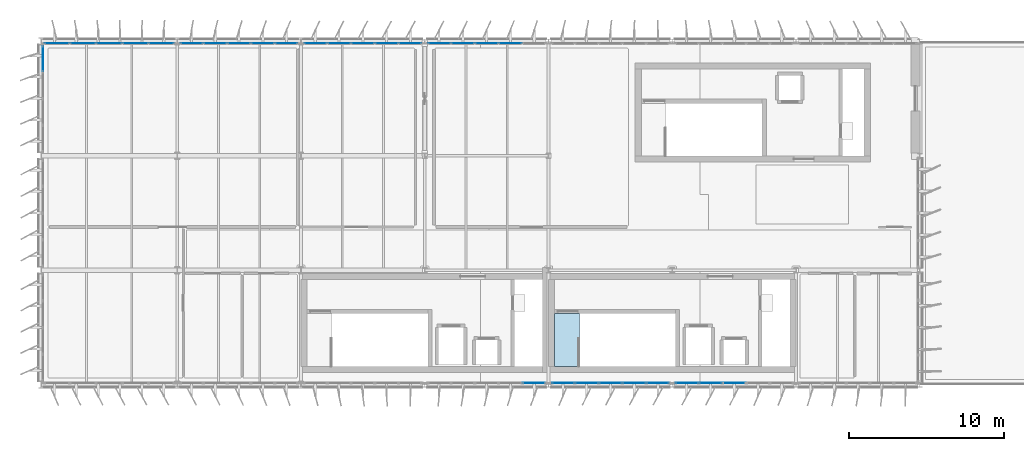
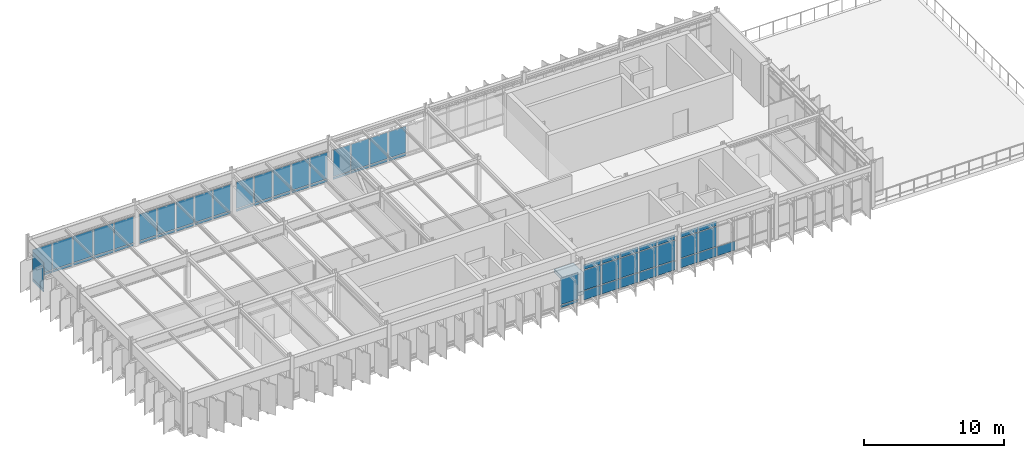
# One storey, part 12 of 20: 64 plates, 1 slab, 8 elements without a shape of their own.
"""IFC4 building model written with IfcOpenShell, lengths in metres."""

from ifc_helpers import new_model, si_unit, direction, frame, origin, origin_2d, place, context, subcontext, project, spatial, polyline, rectangle, outline, extrude, material, layer, layer_set, type_object, element, aggregate, save


model = new_model("IFC4")

# Units and contexts
model_context = context("Model", 3, precision=1e-05, world=origin(), true_north=direction((0.0, 1.0)))
body_context = subcontext(model_context, "Body", "Model", "MODEL_VIEW")
ifc_project = project(units=[si_unit("LENGTHUNIT", "METRE"), si_unit("AREAUNIT", "SQUARE_METRE"), si_unit("VOLUMEUNIT", "CUBIC_METRE"), si_unit("PLANEANGLEUNIT", "RADIAN"), si_unit("MASSUNIT", "GRAM", prefix="KILO")], contexts=[model_context])

# Site, building, storey
site_placement = place(None, origin())
site = spatial("IfcSite", under=ifc_project, at=site_placement, CompositionType="ELEMENT")
building_placement = place(site_placement, origin())
building = spatial("IfcBuilding", under=site, at=building_placement, Name="Valkorina Park Police Headquarters", CompositionType="ELEMENT")
storey_placement = place(building_placement, frame((0.0, 0.0, 31.10009765625)))
storey = spatial("IfcBuildingStorey", under=building, at=storey_placement, Name="L08", CompositionType="ELEMENT", Elevation=31.10009765625)

# Curtain wall, plates
ifc_material_1 = material(Name="Thermally broken aluminium AW-6060", Category="aluminium")
ifc_layer_1 = layer(ifc_material_1, 0.18994140625)
ifc_layer_set_1 = layer_set([ifc_layer_1], Name="Thermally broken aluminium AW-6060")
curtain_wall_type_1 = type_object("IfcCurtainWallType", Name="CW-V5-7680x3210", PredefinedType="NOTDEFINED", material=ifc_layer_set_1)
curtain_wall_1_placement = place(storey_placement, origin())
curtain_wall_1 = element("IfcCurtainWall", 1, at=curtain_wall_1_placement, inside=storey, type_object=curtain_wall_type_1, Name="L08 Unitised Curtain Wall 157", PredefinedType="NOTDEFINED")
ifc_layer_2 = layer(ifc_material_1, 0.050048828125)
ifc_layer_set_2 = layer_set([ifc_layer_2], Name="Thermally broken aluminium AW-6060")
plate_type_1 = type_object("IfcPlateType", Name="PL-CWP-SPANDREL-50", PredefinedType="CURTAIN_PANEL", material=ifc_layer_set_2)
plate_1_placement = place(storey_placement, frame((44.800048828125, 37.1201171875, 0.06982421875), z_axis=(0.0, 0.0, 1.0), x_axis=(-1.0, 0.0, 0.0)))
plate_1 = element("IfcPlate", 2, at=plate_1_placement, type_object=plate_type_1, Name="CW-V5-768-321 panel 3.1", PredefinedType="CURTAIN_PANEL", context=body_context, shape_type="SweptSolid", body=[
    extrude(rectangle(XDim=1.466064453125, YDim=0.028076171875, at=origin_2d()), origin(), (0.0, 0.0, 1.0), 0.794921875),
])
plate_2_placement = place(storey_placement, frame((43.263916015625, 37.1201171875, 0.06982421875), z_axis=(0.0, 0.0, 1.0), x_axis=(-1.0, 0.0, 0.0)))
plate_2 = element("IfcPlate", 3, at=plate_2_placement, type_object=plate_type_1, Name="CW-V5-768-321 panel 4.1", PredefinedType="CURTAIN_PANEL", context=body_context, shape_type="SweptSolid", body=[
    extrude(rectangle(XDim=1.466064453125, YDim=0.028076171875, at=origin_2d()), origin(), (0.0, 0.0, 1.0), 0.794921875),
])
plate_3_placement = place(storey_placement, frame((41.74560546875, 37.1201171875, 0.06982421875), z_axis=(0.0, 0.0, 1.0), x_axis=(-1.0, 0.0, 0.0)))
plate_3 = element("IfcPlate", 4, at=plate_3_placement, type_object=plate_type_1, Name="CW-V5-768-321 panel 5.1", PredefinedType="CURTAIN_PANEL", context=body_context, shape_type="SweptSolid", body=[
    extrude(rectangle(XDim=1.430908203125, YDim=0.028076171875, at=origin_2d()), origin(), (0.0, 0.0, 1.0), 0.794921875),
])

curtain_wall_2_placement = place(storey_placement, origin())
curtain_wall_2 = element("IfcCurtainWall", 5, at=curtain_wall_2_placement, inside=storey, type_object=curtain_wall_type_1, Name="L08 Unitised Curtain Wall 158", PredefinedType="NOTDEFINED")
plate_4_placement = place(storey_placement, frame((39.8544921875, 37.1201171875, 0.06982421875), z_axis=(0.0, 0.0, 1.0), x_axis=(-1.0, 0.0, 0.0)))
plate_4 = element("IfcPlate", 6, at=plate_4_placement, type_object=plate_type_1, Name="CW-V5-768-321 panel 1.1", PredefinedType="CURTAIN_PANEL", context=body_context, shape_type="SweptSolid", body=[
    extrude(rectangle(XDim=1.430908203125, YDim=0.028076171875, at=origin_2d()), origin(), (0.0, 0.0, 1.0), 0.794921875),
])
plate_5_placement = place(storey_placement, frame((38.3359375, 37.1201171875, 0.06982421875), z_axis=(0.0, 0.0, 1.0), x_axis=(-1.0, 0.0, 0.0)))
plate_5 = element("IfcPlate", 7, at=plate_5_placement, type_object=plate_type_1, Name="CW-V5-768-321 panel 2.1", PredefinedType="CURTAIN_PANEL", context=body_context, shape_type="SweptSolid", body=[
    extrude(rectangle(XDim=1.466064453125, YDim=0.028076171875, at=origin_2d()), origin(), (0.0, 0.0, 1.0), 0.794921875),
])
plate_6_placement = place(storey_placement, frame((36.800048828125, 37.1201171875, 0.06982421875), z_axis=(0.0, 0.0, 1.0), x_axis=(-1.0, 0.0, 0.0)))
plate_6 = element("IfcPlate", 8, at=plate_6_placement, type_object=plate_type_1, Name="CW-V5-768-321 panel 3.1", PredefinedType="CURTAIN_PANEL", context=body_context, shape_type="SweptSolid", body=[
    extrude(rectangle(XDim=1.466064453125, YDim=0.028076171875, at=origin_2d()), origin(), (0.0, 0.0, 1.0), 0.794921875),
])
plate_7_placement = place(storey_placement, frame((35.263916015625, 37.1201171875, 0.06982421875), z_axis=(0.0, 0.0, 1.0), x_axis=(-1.0, 0.0, 0.0)))
plate_7 = element("IfcPlate", 9, at=plate_7_placement, type_object=plate_type_1, Name="CW-V5-768-321 panel 4.1", PredefinedType="CURTAIN_PANEL", context=body_context, shape_type="SweptSolid", body=[
    extrude(rectangle(XDim=1.466064453125, YDim=0.028076171875, at=origin_2d()), origin(), (0.0, 0.0, 1.0), 0.794921875),
])
plate_8_placement = place(storey_placement, frame((33.74560546875, 37.1201171875, 0.06982421875), z_axis=(0.0, 0.0, 1.0), x_axis=(-1.0, 0.0, 0.0)))
plate_8 = element("IfcPlate", 10, at=plate_8_placement, type_object=plate_type_1, Name="CW-V5-768-321 panel 5.1", PredefinedType="CURTAIN_PANEL", context=body_context, shape_type="SweptSolid", body=[
    extrude(rectangle(XDim=1.430908203125, YDim=0.028076171875, at=origin_2d()), origin(), (0.0, 0.0, 1.0), 0.794921875),
])

# Curtain wall, plate
ifc_layer_3 = layer(ifc_material_1, 0.18994140625)
ifc_layer_set_3 = layer_set([ifc_layer_3], Name="Thermally broken aluminium AW-6060")
curtain_wall_type_2 = type_object("IfcCurtainWallType", Name="CW-V5-7680x2710", PredefinedType="NOTDEFINED", material=ifc_layer_set_3)
curtain_wall_3_placement = place(storey_placement, origin())
curtain_wall_3 = element("IfcCurtainWall", 11, at=curtain_wall_3_placement, inside=storey, type_object=curtain_wall_type_2, Name="L08 Unitised Curtain Wall 159", PredefinedType="NOTDEFINED")
plate_9_placement = place(storey_placement, frame((31.8544921875, 37.1201171875, 0.06982421875), z_axis=(0.0, 0.0, 1.0), x_axis=(-1.0, 0.0, 0.0)))
plate_9 = element("IfcPlate", 12, at=plate_9_placement, type_object=plate_type_1, Name="CW-V5-768-271 panel 1.1", PredefinedType="CURTAIN_PANEL", context=body_context, shape_type="SweptSolid", body=[
    extrude(rectangle(XDim=1.430908203125, YDim=0.028076171875, at=origin_2d()), origin(), (0.0, 0.0, 1.0), 0.195068359375),
])

ifc_layer_4 = layer(ifc_material_1, 0.18994140625)
ifc_layer_set_4 = layer_set([ifc_layer_4], Name="Thermally broken aluminium AW-6060")
curtain_wall_type_3 = type_object("IfcCurtainWallType", Name="CW-V5-6930x2710", PredefinedType="NOTDEFINED", material=ifc_layer_set_4)
curtain_wall_4_placement = place(storey_placement, origin())
curtain_wall_4 = element("IfcCurtainWall", 13, at=curtain_wall_4_placement, inside=storey, type_object=curtain_wall_type_3, Name="L08 Unitised Curtain Wall 165", PredefinedType="NOTDEFINED")
plate_10_placement = place(storey_placement, frame((0.1201171875, 58.081298828125, 0.06982421875), z_axis=(0.0, 0.0, 1.0), x_axis=(0.0, 1.0, 0.0)))
plate_10 = element("IfcPlate", 14, at=plate_10_placement, type_object=plate_type_1, Name="CW-V5-693-271 panel 4.1", PredefinedType="CURTAIN_PANEL", context=body_context, shape_type="SweptSolid", body=[
    extrude(rectangle(XDim=1.62744140625, YDim=0.028076171875, at=origin_2d()), origin(), (0.0, 0.0, 1.0), 0.195068359375),
])

# Curtain wall, plates
ifc_layer_5 = layer(ifc_material_1, 0.18994140625)
ifc_layer_set_5 = layer_set([ifc_layer_5], Name="Thermally broken aluminium AW-6060")
curtain_wall_type_4 = type_object("IfcCurtainWallType", Name="CW-V5-8480x2710", PredefinedType="NOTDEFINED", material=ifc_layer_set_5)
curtain_wall_5_placement = place(storey_placement, origin())
curtain_wall_5 = element("IfcCurtainWall", 15, at=curtain_wall_5_placement, inside=storey, type_object=curtain_wall_type_4, Name="L08 Unitised Curtain Wall 166", PredefinedType="NOTDEFINED")
plate_11_placement = place(storey_placement, frame((1.025390625, 59.080078125, 0.06982421875), z_axis=(0.0, 0.0, 1.0), x_axis=(1.0, 0.0, 0.0)))
plate_11 = element("IfcPlate", 16, at=plate_11_placement, type_object=plate_type_1, Name="CW-V5-848-271 panel 1.1", PredefinedType="CURTAIN_PANEL", context=body_context, shape_type="SweptSolid", body=[
    extrude(rectangle(XDim=1.591064453125, YDim=0.028076171875, at=origin_2d()), origin(), (0.0, 0.0, 1.0), 0.195068359375),
])
plate_12_placement = place(storey_placement, frame((2.7041015625, 59.080078125, 0.06982421875), z_axis=(0.0, 0.0, 1.0), x_axis=(1.0, 0.0, 0.0)))
plate_12 = element("IfcPlate", 17, at=plate_12_placement, type_object=plate_type_1, Name="CW-V5-848-271 panel 2.1", PredefinedType="CURTAIN_PANEL", context=body_context, shape_type="SweptSolid", body=[
    extrude(rectangle(XDim=1.6259765625, YDim=0.028076171875, at=origin_2d()), origin(), (0.0, 0.0, 1.0), 0.195068359375),
])
plate_13_placement = place(storey_placement, frame((4.39990234375, 59.080078125, 0.06982421875), z_axis=(0.0, 0.0, 1.0), x_axis=(1.0, 0.0, 0.0)))
plate_13 = element("IfcPlate", 18, at=plate_13_placement, type_object=plate_type_1, Name="CW-V5-848-271 panel 3.1", PredefinedType="CURTAIN_PANEL", context=body_context, shape_type="SweptSolid", body=[
    extrude(rectangle(XDim=1.6259765625, YDim=0.028076171875, at=origin_2d()), origin(), (0.0, 0.0, 1.0), 0.195068359375),
])
plate_14_placement = place(storey_placement, frame((6.095947265625, 59.080078125, 0.06982421875), z_axis=(0.0, 0.0, 1.0), x_axis=(1.0, 0.0, 0.0)))
plate_14 = element("IfcPlate", 19, at=plate_14_placement, type_object=plate_type_1, Name="CW-V5-848-271 panel 4.1", PredefinedType="CURTAIN_PANEL", context=body_context, shape_type="SweptSolid", body=[
    extrude(rectangle(XDim=1.6259765625, YDim=0.028076171875, at=origin_2d()), origin(), (0.0, 0.0, 1.0), 0.195068359375),
])
plate_15_placement = place(storey_placement, frame((7.7744140625, 59.080078125, 0.06982421875), z_axis=(0.0, 0.0, 1.0), x_axis=(1.0, 0.0, 0.0)))
plate_15 = element("IfcPlate", 20, at=plate_15_placement, type_object=plate_type_1, Name="CW-V5-848-271 panel 5.1", PredefinedType="CURTAIN_PANEL", context=body_context, shape_type="SweptSolid", body=[
    extrude(rectangle(XDim=1.591064453125, YDim=0.028076171875, at=origin_2d()), origin(), (0.0, 0.0, 1.0), 0.195068359375),
])

curtain_wall_6_placement = place(storey_placement, origin())
curtain_wall_6 = element("IfcCurtainWall", 21, at=curtain_wall_6_placement, inside=storey, type_object=curtain_wall_type_2, Name="L08 Unitised Curtain Wall 167", PredefinedType="NOTDEFINED")
plate_16_placement = place(storey_placement, frame((9.74560546875, 59.080078125, 0.06982421875), z_axis=(0.0, 0.0, 1.0), x_axis=(1.0, 0.0, 0.0)))
plate_16 = element("IfcPlate", 22, at=plate_16_placement, type_object=plate_type_1, Name="CW-V5-768-271 panel 1.1", PredefinedType="CURTAIN_PANEL", context=body_context, shape_type="SweptSolid", body=[
    extrude(rectangle(XDim=1.430908203125, YDim=0.028076171875, at=origin_2d()), origin(), (0.0, 0.0, 1.0), 0.195068359375),
])
plate_17_placement = place(storey_placement, frame((11.263916015625, 59.080078125, 0.06982421875), z_axis=(0.0, 0.0, 1.0), x_axis=(1.0, 0.0, 0.0)))
plate_17 = element("IfcPlate", 23, at=plate_17_placement, type_object=plate_type_1, Name="CW-V5-768-271 panel 2.1", PredefinedType="CURTAIN_PANEL", context=body_context, shape_type="SweptSolid", body=[
    extrude(rectangle(XDim=1.466064453125, YDim=0.028076171875, at=origin_2d()), origin(), (0.0, 0.0, 1.0), 0.195068359375),
])
plate_18_placement = place(storey_placement, frame((12.800048828125, 59.080078125, 0.06982421875), z_axis=(0.0, 0.0, 1.0), x_axis=(1.0, 0.0, 0.0)))
plate_18 = element("IfcPlate", 24, at=plate_18_placement, type_object=plate_type_1, Name="CW-V5-768-271 panel 3.1", PredefinedType="CURTAIN_PANEL", context=body_context, shape_type="SweptSolid", body=[
    extrude(rectangle(XDim=1.466064453125, YDim=0.028076171875, at=origin_2d()), origin(), (0.0, 0.0, 1.0), 0.195068359375),
])
plate_19_placement = place(storey_placement, frame((14.3359375, 59.080078125, 0.06982421875), z_axis=(0.0, 0.0, 1.0), x_axis=(1.0, 0.0, 0.0)))
plate_19 = element("IfcPlate", 25, at=plate_19_placement, type_object=plate_type_1, Name="CW-V5-768-271 panel 4.1", PredefinedType="CURTAIN_PANEL", context=body_context, shape_type="SweptSolid", body=[
    extrude(rectangle(XDim=1.466064453125, YDim=0.028076171875, at=origin_2d()), origin(), (0.0, 0.0, 1.0), 0.195068359375),
])
plate_20_placement = place(storey_placement, frame((15.8544921875, 59.080078125, 0.06982421875), z_axis=(0.0, 0.0, 1.0), x_axis=(1.0, 0.0, 0.0)))
plate_20 = element("IfcPlate", 26, at=plate_20_placement, type_object=plate_type_1, Name="CW-V5-768-271 panel 5.1", PredefinedType="CURTAIN_PANEL", context=body_context, shape_type="SweptSolid", body=[
    extrude(rectangle(XDim=1.430908203125, YDim=0.028076171875, at=origin_2d()), origin(), (0.0, 0.0, 1.0), 0.195068359375),
])

curtain_wall_7_placement = place(storey_placement, origin())
curtain_wall_7 = element("IfcCurtainWall", 27, at=curtain_wall_7_placement, inside=storey, type_object=curtain_wall_type_2, Name="L08 Unitised Curtain Wall 168", PredefinedType="NOTDEFINED")
plate_21_placement = place(storey_placement, frame((17.74560546875, 59.080078125, 0.06982421875), z_axis=(0.0, 0.0, 1.0), x_axis=(1.0, 0.0, 0.0)))
plate_21 = element("IfcPlate", 28, at=plate_21_placement, type_object=plate_type_1, Name="CW-V5-768-271 panel 1.1", PredefinedType="CURTAIN_PANEL", context=body_context, shape_type="SweptSolid", body=[
    extrude(rectangle(XDim=1.430908203125, YDim=0.028076171875, at=origin_2d()), origin(), (0.0, 0.0, 1.0), 0.195068359375),
])
plate_22_placement = place(storey_placement, frame((19.263916015625, 59.080078125, 0.06982421875), z_axis=(0.0, 0.0, 1.0), x_axis=(1.0, 0.0, 0.0)))
plate_22 = element("IfcPlate", 29, at=plate_22_placement, type_object=plate_type_1, Name="CW-V5-768-271 panel 2.1", PredefinedType="CURTAIN_PANEL", context=body_context, shape_type="SweptSolid", body=[
    extrude(rectangle(XDim=1.466064453125, YDim=0.028076171875, at=origin_2d()), origin(), (0.0, 0.0, 1.0), 0.195068359375),
])
plate_23_placement = place(storey_placement, frame((20.800048828125, 59.080078125, 0.06982421875), z_axis=(0.0, 0.0, 1.0), x_axis=(1.0, 0.0, 0.0)))
plate_23 = element("IfcPlate", 30, at=plate_23_placement, type_object=plate_type_1, Name="CW-V5-768-271 panel 3.1", PredefinedType="CURTAIN_PANEL", context=body_context, shape_type="SweptSolid", body=[
    extrude(rectangle(XDim=1.466064453125, YDim=0.028076171875, at=origin_2d()), origin(), (0.0, 0.0, 1.0), 0.195068359375),
])
plate_24_placement = place(storey_placement, frame((22.3359375, 59.080078125, 0.06982421875), z_axis=(0.0, 0.0, 1.0), x_axis=(1.0, 0.0, 0.0)))
plate_24 = element("IfcPlate", 31, at=plate_24_placement, type_object=plate_type_1, Name="CW-V5-768-271 panel 4.1", PredefinedType="CURTAIN_PANEL", context=body_context, shape_type="SweptSolid", body=[
    extrude(rectangle(XDim=1.466064453125, YDim=0.028076171875, at=origin_2d()), origin(), (0.0, 0.0, 1.0), 0.195068359375),
])
plate_25_placement = place(storey_placement, frame((23.8544921875, 59.080078125, 0.06982421875), z_axis=(0.0, 0.0, 1.0), x_axis=(1.0, 0.0, 0.0)))
plate_25 = element("IfcPlate", 32, at=plate_25_placement, type_object=plate_type_1, Name="CW-V5-768-271 panel 5.1", PredefinedType="CURTAIN_PANEL", context=body_context, shape_type="SweptSolid", body=[
    extrude(rectangle(XDim=1.430908203125, YDim=0.028076171875, at=origin_2d()), origin(), (0.0, 0.0, 1.0), 0.195068359375),
])

curtain_wall_8_placement = place(storey_placement, origin())
curtain_wall_8 = element("IfcCurtainWall", 33, at=curtain_wall_8_placement, inside=storey, type_object=curtain_wall_type_2, Name="L08 Unitised Curtain Wall 169", PredefinedType="NOTDEFINED")
plate_26_placement = place(storey_placement, frame((25.74560546875, 59.080078125, 0.06982421875), z_axis=(0.0, 0.0, 1.0), x_axis=(1.0, 0.0, 0.0)))
plate_26 = element("IfcPlate", 34, at=plate_26_placement, type_object=plate_type_1, Name="CW-V5-768-271 panel 1.1", PredefinedType="CURTAIN_PANEL", context=body_context, shape_type="SweptSolid", body=[
    extrude(rectangle(XDim=1.430908203125, YDim=0.028076171875, at=origin_2d()), origin(), (0.0, 0.0, 1.0), 0.195068359375),
])
plate_27_placement = place(storey_placement, frame((27.263916015625, 59.080078125, 0.06982421875), z_axis=(0.0, 0.0, 1.0), x_axis=(1.0, 0.0, 0.0)))
plate_27 = element("IfcPlate", 35, at=plate_27_placement, type_object=plate_type_1, Name="CW-V5-768-271 panel 2.1", PredefinedType="CURTAIN_PANEL", context=body_context, shape_type="SweptSolid", body=[
    extrude(rectangle(XDim=1.466064453125, YDim=0.028076171875, at=origin_2d()), origin(), (0.0, 0.0, 1.0), 0.195068359375),
])
plate_28_placement = place(storey_placement, frame((28.800048828125, 59.080078125, 0.06982421875), z_axis=(0.0, 0.0, 1.0), x_axis=(1.0, 0.0, 0.0)))
plate_28 = element("IfcPlate", 36, at=plate_28_placement, type_object=plate_type_1, Name="CW-V5-768-271 panel 3.1", PredefinedType="CURTAIN_PANEL", context=body_context, shape_type="SweptSolid", body=[
    extrude(rectangle(XDim=1.466064453125, YDim=0.028076171875, at=origin_2d()), origin(), (0.0, 0.0, 1.0), 0.195068359375),
])
plate_29_placement = place(storey_placement, frame((30.3359375, 59.080078125, 0.06982421875), z_axis=(0.0, 0.0, 1.0), x_axis=(1.0, 0.0, 0.0)))
plate_29 = element("IfcPlate", 37, at=plate_29_placement, type_object=plate_type_1, Name="CW-V5-768-271 panel 4.1", PredefinedType="CURTAIN_PANEL", context=body_context, shape_type="SweptSolid", body=[
    extrude(rectangle(XDim=1.466064453125, YDim=0.028076171875, at=origin_2d()), origin(), (0.0, 0.0, 1.0), 0.195068359375),
])

# Plate
ifc_material_2 = material(Name="Triple low-E insulated glazing", Category="glass")
ifc_layer_6 = layer(ifc_material_2, 0.028076171875)
ifc_layer_set_6 = layer_set([ifc_layer_6], Name="Triple low-E insulated glazing")
plate_type_2 = type_object("IfcPlateType", Name="PL-CWP-VISION-28", PredefinedType="CURTAIN_PANEL", material=ifc_layer_set_6)
plate_30_placement = place(storey_placement, frame((43.263916015625, 37.1201171875, 0.93505859375), z_axis=(0.0, 0.0, 1.0), x_axis=(-1.0, 0.0, 0.0)))
plate_30 = element("IfcPlate", 38, at=plate_30_placement, type_object=plate_type_2, Name="CW-V5-768-321 panel 4.2", PredefinedType="CURTAIN_PANEL", context=body_context, shape_type="SweptSolid", body=[
    extrude(rectangle(XDim=1.466064453125, YDim=0.028076171875, at=origin_2d()), origin(), (0.0, 0.0, 1.0), 1.719970703125),
])

plate_31_placement = place(storey_placement, frame((43.263916015625, 37.1201171875, 2.724853515625), z_axis=(0.0, 0.0, 1.0), x_axis=(-1.0, 0.0, 0.0)))
plate_31 = element("IfcPlate", 39, at=plate_31_placement, type_object=plate_type_2, Name="CW-V5-768-321 panel 4.3", PredefinedType="CURTAIN_PANEL", context=body_context, shape_type="SweptSolid", body=[
    extrude(rectangle(XDim=1.466064453125, YDim=0.028076171875, at=origin_2d()), origin(), (0.0, 0.0, 1.0), 0.4150390625),
])

plate_32_placement = place(storey_placement, frame((41.74560546875, 37.1201171875, 0.93505859375), z_axis=(0.0, 0.0, 1.0), x_axis=(-1.0, 0.0, 0.0)))
plate_32 = element("IfcPlate", 40, at=plate_32_placement, type_object=plate_type_2, Name="CW-V5-768-321 panel 5.2", PredefinedType="CURTAIN_PANEL", context=body_context, shape_type="SweptSolid", body=[
    extrude(rectangle(XDim=1.430908203125, YDim=0.028076171875, at=origin_2d()), origin(), (0.0, 0.0, 1.0), 1.719970703125),
])

plate_33_placement = place(storey_placement, frame((41.74560546875, 37.1201171875, 2.724853515625), z_axis=(0.0, 0.0, 1.0), x_axis=(-1.0, 0.0, 0.0)))
plate_33 = element("IfcPlate", 41, at=plate_33_placement, type_object=plate_type_2, Name="CW-V5-768-321 panel 5.3", PredefinedType="CURTAIN_PANEL", context=body_context, shape_type="SweptSolid", body=[
    extrude(rectangle(XDim=1.430908203125, YDim=0.028076171875, at=origin_2d()), origin(), (0.0, 0.0, 1.0), 0.4150390625),
])

aggregate(curtain_wall_1, [plate_1, plate_2, plate_30, plate_31, plate_3, plate_32, plate_33])

plate_34_placement = place(storey_placement, frame((39.8544921875, 37.1201171875, 0.93505859375), z_axis=(0.0, 0.0, 1.0), x_axis=(-1.0, 0.0, 0.0)))
plate_34 = element("IfcPlate", 42, at=plate_34_placement, type_object=plate_type_2, Name="CW-V5-768-321 panel 1.2", PredefinedType="CURTAIN_PANEL", context=body_context, shape_type="SweptSolid", body=[
    extrude(rectangle(XDim=1.430908203125, YDim=0.028076171875, at=origin_2d()), origin(), (0.0, 0.0, 1.0), 1.719970703125),
])

plate_35_placement = place(storey_placement, frame((39.8544921875, 37.1201171875, 2.724853515625), z_axis=(0.0, 0.0, 1.0), x_axis=(-1.0, 0.0, 0.0)))
plate_35 = element("IfcPlate", 43, at=plate_35_placement, type_object=plate_type_2, Name="CW-V5-768-321 panel 1.3", PredefinedType="CURTAIN_PANEL", context=body_context, shape_type="SweptSolid", body=[
    extrude(rectangle(XDim=1.430908203125, YDim=0.028076171875, at=origin_2d()), origin(), (0.0, 0.0, 1.0), 0.4150390625),
])

plate_36_placement = place(storey_placement, frame((38.3359375, 37.1201171875, 0.93505859375), z_axis=(0.0, 0.0, 1.0), x_axis=(-1.0, 0.0, 0.0)))
plate_36 = element("IfcPlate", 44, at=plate_36_placement, type_object=plate_type_2, Name="CW-V5-768-321 panel 2.2", PredefinedType="CURTAIN_PANEL", context=body_context, shape_type="SweptSolid", body=[
    extrude(rectangle(XDim=1.466064453125, YDim=0.028076171875, at=origin_2d()), origin(), (0.0, 0.0, 1.0), 1.719970703125),
])

plate_37_placement = place(storey_placement, frame((38.3359375, 37.1201171875, 2.724853515625), z_axis=(0.0, 0.0, 1.0), x_axis=(-1.0, 0.0, 0.0)))
plate_37 = element("IfcPlate", 45, at=plate_37_placement, type_object=plate_type_2, Name="CW-V5-768-321 panel 2.3", PredefinedType="CURTAIN_PANEL", context=body_context, shape_type="SweptSolid", body=[
    extrude(rectangle(XDim=1.466064453125, YDim=0.028076171875, at=origin_2d()), origin(), (0.0, 0.0, 1.0), 0.4150390625),
])

plate_38_placement = place(storey_placement, frame((36.800048828125, 37.1201171875, 0.93505859375), z_axis=(0.0, 0.0, 1.0), x_axis=(-1.0, 0.0, 0.0)))
plate_38 = element("IfcPlate", 46, at=plate_38_placement, type_object=plate_type_2, Name="CW-V5-768-321 panel 3.2", PredefinedType="CURTAIN_PANEL", context=body_context, shape_type="SweptSolid", body=[
    extrude(rectangle(XDim=1.466064453125, YDim=0.028076171875, at=origin_2d()), origin(), (0.0, 0.0, 1.0), 1.719970703125),
])

plate_39_placement = place(storey_placement, frame((36.800048828125, 37.1201171875, 2.724853515625), z_axis=(0.0, 0.0, 1.0), x_axis=(-1.0, 0.0, 0.0)))
plate_39 = element("IfcPlate", 47, at=plate_39_placement, type_object=plate_type_2, Name="CW-V5-768-321 panel 3.3", PredefinedType="CURTAIN_PANEL", context=body_context, shape_type="SweptSolid", body=[
    extrude(rectangle(XDim=1.466064453125, YDim=0.028076171875, at=origin_2d()), origin(), (0.0, 0.0, 1.0), 0.4150390625),
])

plate_40_placement = place(storey_placement, frame((35.263916015625, 37.1201171875, 0.93505859375), z_axis=(0.0, 0.0, 1.0), x_axis=(-1.0, 0.0, 0.0)))
plate_40 = element("IfcPlate", 48, at=plate_40_placement, type_object=plate_type_2, Name="CW-V5-768-321 panel 4.2", PredefinedType="CURTAIN_PANEL", context=body_context, shape_type="SweptSolid", body=[
    extrude(rectangle(XDim=1.466064453125, YDim=0.028076171875, at=origin_2d()), origin(), (0.0, 0.0, 1.0), 1.719970703125),
])

plate_41_placement = place(storey_placement, frame((35.263916015625, 37.1201171875, 2.724853515625), z_axis=(0.0, 0.0, 1.0), x_axis=(-1.0, 0.0, 0.0)))
plate_41 = element("IfcPlate", 49, at=plate_41_placement, type_object=plate_type_2, Name="CW-V5-768-321 panel 4.3", PredefinedType="CURTAIN_PANEL", context=body_context, shape_type="SweptSolid", body=[
    extrude(rectangle(XDim=1.466064453125, YDim=0.028076171875, at=origin_2d()), origin(), (0.0, 0.0, 1.0), 0.4150390625),
])

plate_42_placement = place(storey_placement, frame((33.74560546875, 37.1201171875, 0.93505859375), z_axis=(0.0, 0.0, 1.0), x_axis=(-1.0, 0.0, 0.0)))
plate_42 = element("IfcPlate", 50, at=plate_42_placement, type_object=plate_type_2, Name="CW-V5-768-321 panel 5.2", PredefinedType="CURTAIN_PANEL", context=body_context, shape_type="SweptSolid", body=[
    extrude(rectangle(XDim=1.430908203125, YDim=0.028076171875, at=origin_2d()), origin(), (0.0, 0.0, 1.0), 1.719970703125),
])

plate_43_placement = place(storey_placement, frame((33.74560546875, 37.1201171875, 2.724853515625), z_axis=(0.0, 0.0, 1.0), x_axis=(-1.0, 0.0, 0.0)))
plate_43 = element("IfcPlate", 51, at=plate_43_placement, type_object=plate_type_2, Name="CW-V5-768-321 panel 5.3", PredefinedType="CURTAIN_PANEL", context=body_context, shape_type="SweptSolid", body=[
    extrude(rectangle(XDim=1.430908203125, YDim=0.028076171875, at=origin_2d()), origin(), (0.0, 0.0, 1.0), 0.4150390625),
])

aggregate(curtain_wall_2, [plate_4, plate_34, plate_35, plate_5, plate_36, plate_37, plate_6, plate_38, plate_39, plate_7, plate_40, plate_41, plate_8, plate_42, plate_43])

plate_44_placement = place(storey_placement, frame((31.8544921875, 37.1201171875, 0.3349609375), z_axis=(0.0, 0.0, 1.0), x_axis=(-1.0, 0.0, 0.0)))
plate_44 = element("IfcPlate", 52, at=plate_44_placement, type_object=plate_type_2, Name="CW-V5-768-271 panel 1.2", PredefinedType="CURTAIN_PANEL", context=body_context, shape_type="SweptSolid", body=[
    extrude(rectangle(XDim=1.430908203125, YDim=0.028076171875, at=origin_2d()), origin(), (0.0, 0.0, 1.0), 2.304931640625),
])

aggregate(curtain_wall_3, [plate_9, plate_44])

plate_45_placement = place(storey_placement, frame((0.1201171875, 58.081298828125, 0.3349609375), z_axis=(0.0, 0.0, 1.0), x_axis=(0.0, 1.0, 0.0)))
plate_45 = element("IfcPlate", 53, at=plate_45_placement, type_object=plate_type_2, Name="CW-V5-693-271 panel 4.2", PredefinedType="CURTAIN_PANEL", context=body_context, shape_type="SweptSolid", body=[
    extrude(rectangle(XDim=1.62744140625, YDim=0.028076171875, at=origin_2d()), origin(), (0.0, 0.0, 1.0), 2.304931640625),
])

aggregate(curtain_wall_4, [plate_10, plate_45])

plate_46_placement = place(storey_placement, frame((1.025390625, 59.080078125, 0.3349609375), z_axis=(0.0, 0.0, 1.0), x_axis=(1.0, 0.0, 0.0)))
plate_46 = element("IfcPlate", 54, at=plate_46_placement, type_object=plate_type_2, Name="CW-V5-848-271 panel 1.2", PredefinedType="CURTAIN_PANEL", context=body_context, shape_type="SweptSolid", body=[
    extrude(rectangle(XDim=1.591064453125, YDim=0.028076171875, at=origin_2d()), origin(), (0.0, 0.0, 1.0), 2.304931640625),
])

plate_47_placement = place(storey_placement, frame((2.7041015625, 59.080078125, 0.3349609375), z_axis=(0.0, 0.0, 1.0), x_axis=(1.0, 0.0, 0.0)))
plate_47 = element("IfcPlate", 55, at=plate_47_placement, type_object=plate_type_2, Name="CW-V5-848-271 panel 2.2", PredefinedType="CURTAIN_PANEL", context=body_context, shape_type="SweptSolid", body=[
    extrude(rectangle(XDim=1.6259765625, YDim=0.028076171875, at=origin_2d()), origin(), (0.0, 0.0, 1.0), 2.304931640625),
])

plate_48_placement = place(storey_placement, frame((4.39990234375, 59.080078125, 0.3349609375), z_axis=(0.0, 0.0, 1.0), x_axis=(1.0, 0.0, 0.0)))
plate_48 = element("IfcPlate", 56, at=plate_48_placement, type_object=plate_type_2, Name="CW-V5-848-271 panel 3.2", PredefinedType="CURTAIN_PANEL", context=body_context, shape_type="SweptSolid", body=[
    extrude(rectangle(XDim=1.6259765625, YDim=0.028076171875, at=origin_2d()), origin(), (0.0, 0.0, 1.0), 2.304931640625),
])

plate_49_placement = place(storey_placement, frame((6.095947265625, 59.080078125, 0.3349609375), z_axis=(0.0, 0.0, 1.0), x_axis=(1.0, 0.0, 0.0)))
plate_49 = element("IfcPlate", 57, at=plate_49_placement, type_object=plate_type_2, Name="CW-V5-848-271 panel 4.2", PredefinedType="CURTAIN_PANEL", context=body_context, shape_type="SweptSolid", body=[
    extrude(rectangle(XDim=1.6259765625, YDim=0.028076171875, at=origin_2d()), origin(), (0.0, 0.0, 1.0), 2.304931640625),
])

plate_50_placement = place(storey_placement, frame((7.7744140625, 59.080078125, 0.3349609375), z_axis=(0.0, 0.0, 1.0), x_axis=(1.0, 0.0, 0.0)))
plate_50 = element("IfcPlate", 58, at=plate_50_placement, type_object=plate_type_2, Name="CW-V5-848-271 panel 5.2", PredefinedType="CURTAIN_PANEL", context=body_context, shape_type="SweptSolid", body=[
    extrude(rectangle(XDim=1.591064453125, YDim=0.028076171875, at=origin_2d()), origin(), (0.0, 0.0, 1.0), 2.304931640625),
])

aggregate(curtain_wall_5, [plate_11, plate_46, plate_12, plate_47, plate_13, plate_48, plate_14, plate_49, plate_15, plate_50])

plate_51_placement = place(storey_placement, frame((9.74560546875, 59.080078125, 0.3349609375), z_axis=(0.0, 0.0, 1.0), x_axis=(1.0, 0.0, 0.0)))
plate_51 = element("IfcPlate", 59, at=plate_51_placement, type_object=plate_type_2, Name="CW-V5-768-271 panel 1.2", PredefinedType="CURTAIN_PANEL", context=body_context, shape_type="SweptSolid", body=[
    extrude(rectangle(XDim=1.430908203125, YDim=0.028076171875, at=origin_2d()), origin(), (0.0, 0.0, 1.0), 2.304931640625),
])

plate_52_placement = place(storey_placement, frame((11.263916015625, 59.080078125, 0.3349609375), z_axis=(0.0, 0.0, 1.0), x_axis=(1.0, 0.0, 0.0)))
plate_52 = element("IfcPlate", 60, at=plate_52_placement, type_object=plate_type_2, Name="CW-V5-768-271 panel 2.2", PredefinedType="CURTAIN_PANEL", context=body_context, shape_type="SweptSolid", body=[
    extrude(rectangle(XDim=1.466064453125, YDim=0.028076171875, at=origin_2d()), origin(), (0.0, 0.0, 1.0), 2.304931640625),
])

plate_53_placement = place(storey_placement, frame((12.800048828125, 59.080078125, 0.3349609375), z_axis=(0.0, 0.0, 1.0), x_axis=(1.0, 0.0, 0.0)))
plate_53 = element("IfcPlate", 61, at=plate_53_placement, type_object=plate_type_2, Name="CW-V5-768-271 panel 3.2", PredefinedType="CURTAIN_PANEL", context=body_context, shape_type="SweptSolid", body=[
    extrude(rectangle(XDim=1.466064453125, YDim=0.028076171875, at=origin_2d()), origin(), (0.0, 0.0, 1.0), 2.304931640625),
])

plate_54_placement = place(storey_placement, frame((14.3359375, 59.080078125, 0.3349609375), z_axis=(0.0, 0.0, 1.0), x_axis=(1.0, 0.0, 0.0)))
plate_54 = element("IfcPlate", 62, at=plate_54_placement, type_object=plate_type_2, Name="CW-V5-768-271 panel 4.2", PredefinedType="CURTAIN_PANEL", context=body_context, shape_type="SweptSolid", body=[
    extrude(rectangle(XDim=1.466064453125, YDim=0.028076171875, at=origin_2d()), origin(), (0.0, 0.0, 1.0), 2.304931640625),
])

plate_55_placement = place(storey_placement, frame((15.8544921875, 59.080078125, 0.3349609375), z_axis=(0.0, 0.0, 1.0), x_axis=(1.0, 0.0, 0.0)))
plate_55 = element("IfcPlate", 63, at=plate_55_placement, type_object=plate_type_2, Name="CW-V5-768-271 panel 5.2", PredefinedType="CURTAIN_PANEL", context=body_context, shape_type="SweptSolid", body=[
    extrude(rectangle(XDim=1.430908203125, YDim=0.028076171875, at=origin_2d()), origin(), (0.0, 0.0, 1.0), 2.304931640625),
])

aggregate(curtain_wall_6, [plate_16, plate_51, plate_17, plate_52, plate_18, plate_53, plate_19, plate_54, plate_20, plate_55])

plate_56_placement = place(storey_placement, frame((17.74560546875, 59.080078125, 0.3349609375), z_axis=(0.0, 0.0, 1.0), x_axis=(1.0, 0.0, 0.0)))
plate_56 = element("IfcPlate", 64, at=plate_56_placement, type_object=plate_type_2, Name="CW-V5-768-271 panel 1.2", PredefinedType="CURTAIN_PANEL", context=body_context, shape_type="SweptSolid", body=[
    extrude(rectangle(XDim=1.430908203125, YDim=0.028076171875, at=origin_2d()), origin(), (0.0, 0.0, 1.0), 2.304931640625),
])

plate_57_placement = place(storey_placement, frame((19.263916015625, 59.080078125, 0.3349609375), z_axis=(0.0, 0.0, 1.0), x_axis=(1.0, 0.0, 0.0)))
plate_57 = element("IfcPlate", 65, at=plate_57_placement, type_object=plate_type_2, Name="CW-V5-768-271 panel 2.2", PredefinedType="CURTAIN_PANEL", context=body_context, shape_type="SweptSolid", body=[
    extrude(rectangle(XDim=1.466064453125, YDim=0.028076171875, at=origin_2d()), origin(), (0.0, 0.0, 1.0), 2.304931640625),
])

plate_58_placement = place(storey_placement, frame((20.800048828125, 59.080078125, 0.3349609375), z_axis=(0.0, 0.0, 1.0), x_axis=(1.0, 0.0, 0.0)))
plate_58 = element("IfcPlate", 66, at=plate_58_placement, type_object=plate_type_2, Name="CW-V5-768-271 panel 3.2", PredefinedType="CURTAIN_PANEL", context=body_context, shape_type="SweptSolid", body=[
    extrude(rectangle(XDim=1.466064453125, YDim=0.028076171875, at=origin_2d()), origin(), (0.0, 0.0, 1.0), 2.304931640625),
])

plate_59_placement = place(storey_placement, frame((22.3359375, 59.080078125, 0.3349609375), z_axis=(0.0, 0.0, 1.0), x_axis=(1.0, 0.0, 0.0)))
plate_59 = element("IfcPlate", 67, at=plate_59_placement, type_object=plate_type_2, Name="CW-V5-768-271 panel 4.2", PredefinedType="CURTAIN_PANEL", context=body_context, shape_type="SweptSolid", body=[
    extrude(rectangle(XDim=1.466064453125, YDim=0.028076171875, at=origin_2d()), origin(), (0.0, 0.0, 1.0), 2.304931640625),
])

plate_60_placement = place(storey_placement, frame((23.8544921875, 59.080078125, 0.3349609375), z_axis=(0.0, 0.0, 1.0), x_axis=(1.0, 0.0, 0.0)))
plate_60 = element("IfcPlate", 68, at=plate_60_placement, type_object=plate_type_2, Name="CW-V5-768-271 panel 5.2", PredefinedType="CURTAIN_PANEL", context=body_context, shape_type="SweptSolid", body=[
    extrude(rectangle(XDim=1.430908203125, YDim=0.028076171875, at=origin_2d()), origin(), (0.0, 0.0, 1.0), 2.304931640625),
])

aggregate(curtain_wall_7, [plate_21, plate_56, plate_22, plate_57, plate_23, plate_58, plate_24, plate_59, plate_25, plate_60])

plate_61_placement = place(storey_placement, frame((25.74560546875, 59.080078125, 0.3349609375), z_axis=(0.0, 0.0, 1.0), x_axis=(1.0, 0.0, 0.0)))
plate_61 = element("IfcPlate", 69, at=plate_61_placement, type_object=plate_type_2, Name="CW-V5-768-271 panel 1.2", PredefinedType="CURTAIN_PANEL", context=body_context, shape_type="SweptSolid", body=[
    extrude(rectangle(XDim=1.430908203125, YDim=0.028076171875, at=origin_2d()), origin(), (0.0, 0.0, 1.0), 2.304931640625),
])

plate_62_placement = place(storey_placement, frame((27.263916015625, 59.080078125, 0.3349609375), z_axis=(0.0, 0.0, 1.0), x_axis=(1.0, 0.0, 0.0)))
plate_62 = element("IfcPlate", 70, at=plate_62_placement, type_object=plate_type_2, Name="CW-V5-768-271 panel 2.2", PredefinedType="CURTAIN_PANEL", context=body_context, shape_type="SweptSolid", body=[
    extrude(rectangle(XDim=1.466064453125, YDim=0.028076171875, at=origin_2d()), origin(), (0.0, 0.0, 1.0), 2.304931640625),
])

plate_63_placement = place(storey_placement, frame((28.800048828125, 59.080078125, 0.3349609375), z_axis=(0.0, 0.0, 1.0), x_axis=(1.0, 0.0, 0.0)))
plate_63 = element("IfcPlate", 71, at=plate_63_placement, type_object=plate_type_2, Name="CW-V5-768-271 panel 3.2", PredefinedType="CURTAIN_PANEL", context=body_context, shape_type="SweptSolid", body=[
    extrude(rectangle(XDim=1.466064453125, YDim=0.028076171875, at=origin_2d()), origin(), (0.0, 0.0, 1.0), 2.304931640625),
])

plate_64_placement = place(storey_placement, frame((30.3359375, 59.080078125, 0.3349609375), z_axis=(0.0, 0.0, 1.0), x_axis=(1.0, 0.0, 0.0)))
plate_64 = element("IfcPlate", 72, at=plate_64_placement, type_object=plate_type_2, Name="CW-V5-768-271 panel 4.2", PredefinedType="CURTAIN_PANEL", context=body_context, shape_type="SweptSolid", body=[
    extrude(rectangle(XDim=1.466064453125, YDim=0.028076171875, at=origin_2d()), origin(), (0.0, 0.0, 1.0), 2.304931640625),
])

aggregate(curtain_wall_8, [plate_26, plate_61, plate_27, plate_62, plate_28, plate_63, plate_29, plate_64])

# Slab
ifc_material_3 = material(Name="Concrete C40/50", Category="concrete")
ifc_layer_7 = layer(ifc_material_3, 0.300048828125)
ifc_layer_set_7 = layer_set([ifc_layer_7], Name="Concrete C40/50")
slab_type = type_object("IfcSlabType", Name="SL-VAULT-300", PredefinedType="FLOOR", material=ifc_layer_set_7)
slab_placement = place(storey_placement, frame((0.0, 0.0, -0.300048828125)))
element("IfcSlab", 73, at=slab_placement, inside=storey, type_object=slab_type, Name="L08 Core C2 Structural Floor Landing Slab", PredefinedType="FLOOR", context=body_context, shape_type="SweptSolid", body=[
    extrude(outline(polyline([(33.199951171875, 38.199951171875), (34.800048828125, 38.199951171875), (34.800048828125, 41.60009765625), (33.199951171875, 41.60009765625), (33.199951171875, 38.199951171875)])), origin(), (0.0, 0.0, 1.0), 0.300048828125),
])

save(model, "model.ifc")
